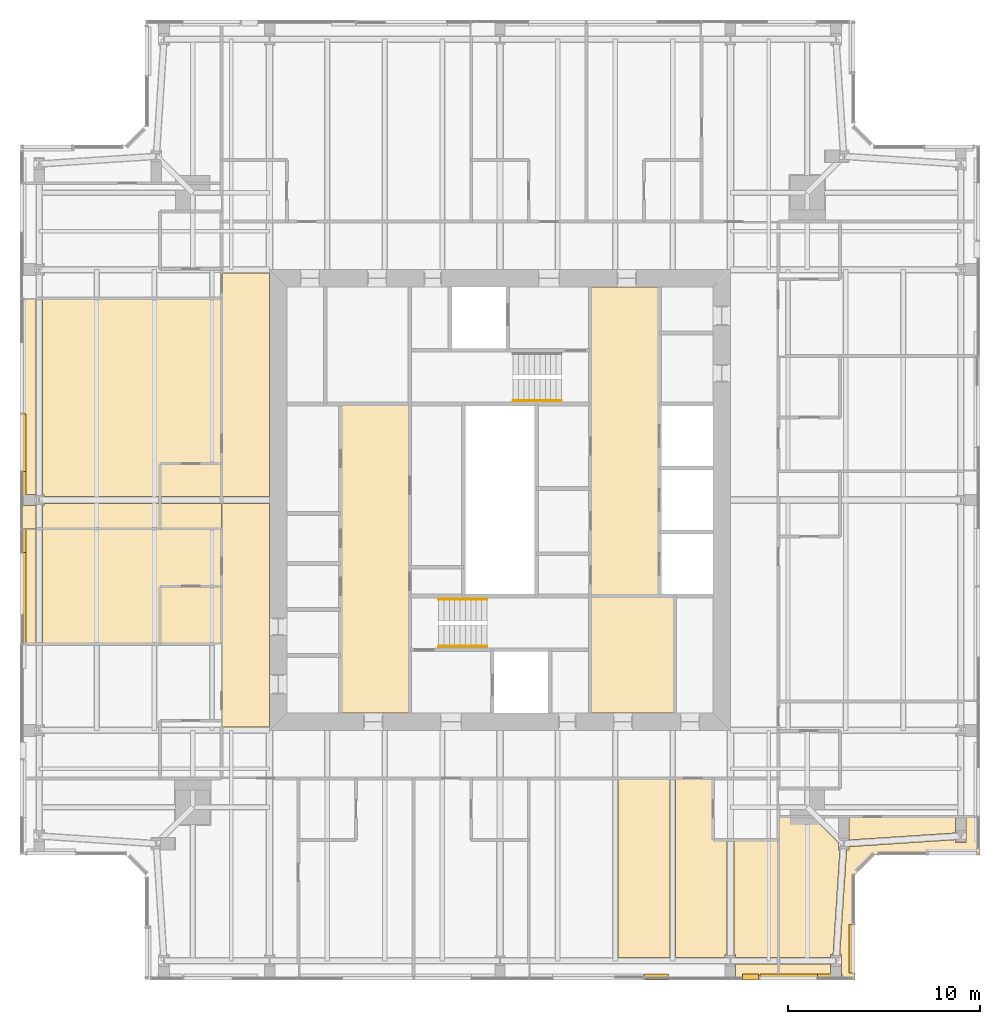
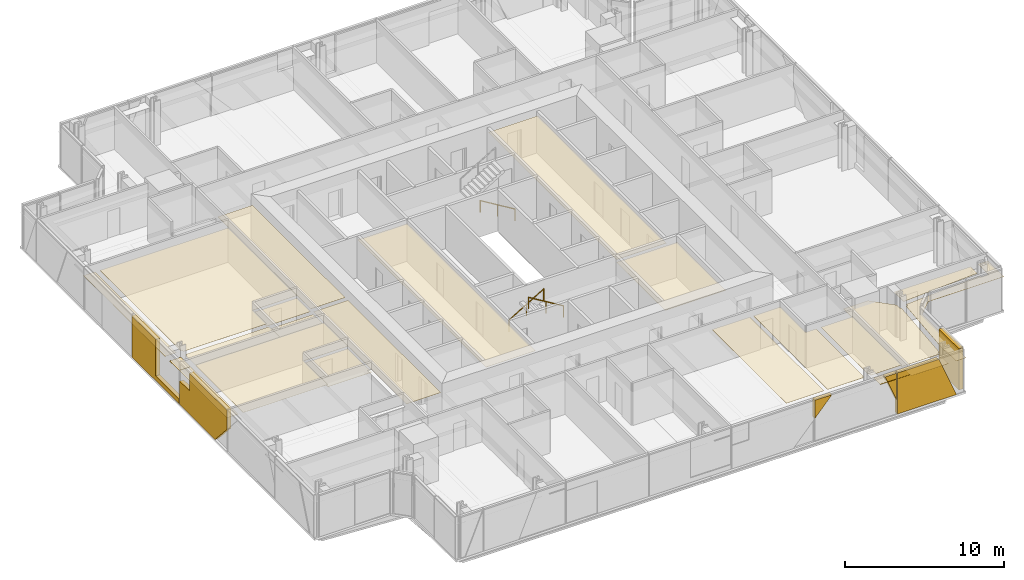
# One storey, part 17 of 20: 28 coverings, 3 railings.
"""IFC4 building model written with IfcOpenShell, lengths in metres."""

from ifc_helpers import new_model, si_unit, direction, frame, origin, origin_2d, place, context, subcontext, project, spatial, polyline, circle, outline, extrude, material, layer, layer_set, type_object, element, save


model = new_model("IFC4")

# Units and contexts
model_context = context("Model", 3, precision=1e-05, world=origin(), true_north=direction((0.0, 1.0)))
body_context = subcontext(model_context, "Body", "Model", "MODEL_VIEW")
ifc_project = project(units=[si_unit("LENGTHUNIT", "METRE"), si_unit("AREAUNIT", "SQUARE_METRE"), si_unit("VOLUMEUNIT", "CUBIC_METRE"), si_unit("PLANEANGLEUNIT", "RADIAN"), si_unit("MASSUNIT", "GRAM", prefix="KILO")], contexts=[model_context])

# Site, building, storey
site_placement = place(None, origin())
site = spatial("IfcSite", under=ifc_project, at=site_placement, CompositionType="ELEMENT")
building_placement = place(site_placement, origin())
building = spatial("IfcBuilding", under=site, at=building_placement, Name="Fenwick Lantern Interchange", CompositionType="ELEMENT")
storey_placement = place(building_placement, frame((0.0, 0.0, 286.60009765625)))
storey = spatial("IfcBuildingStorey", under=building, at=storey_placement, Name="L69", CompositionType="ELEMENT", Elevation=286.60009765625)

# Coverings
ifc_material_1 = material(Name="Granite cladding, warm grey flamed finish, on aluminium carrier frame", Category="masonry")
ifc_layer_1 = layer(ifc_material_1, 0.300048828125)
ifc_layer_set_1 = layer_set([ifc_layer_1], Name="BRACE CASING PANEL 300")
covering_type_1 = type_object("IfcCoveringType", Name="BRACE CASING PANEL 300", PredefinedType="CLADDING", material=ifc_layer_set_1)
covering_1_placement = place(storey_placement, frame((6.60009765625, 0.10009765625, 1.748046875), z_axis=(0.0, 0.0, 1.0), x_axis=(1.0, 0.0, 0.0)))
element("IfcCovering", 1, at=covering_1_placement, inside=storey, type_object=covering_type_1, Name="Brace casing 01 bay 05a", PredefinedType="CLADDING", context=body_context, shape_type="SweptSolid", body=[
    extrude(outline(polyline([(25.929931640625, 0.0), (27.177490234375, 1.40185546875), (25.929931640625, 1.40185546875), (25.929931640625, 0.0)])), frame((0.0, 0.2099609375, 0.0), z_axis=(0.0, -1.0, 0.0), x_axis=(1.0, 0.0, 0.0)), (0.0, 0.0, 1.0), 0.300048828125),
])
covering_2_placement = place(storey_placement, frame((6.60009765625, 0.10009765625, 1.108642578125), z_axis=(0.0, 0.0, 1.0), x_axis=(1.0, 0.0, 0.0)))
element("IfcCovering", 2, at=covering_2_placement, inside=storey, type_object=covering_type_1, Name="Brace casing 01 bay 05b", PredefinedType="CLADDING", context=body_context, shape_type="SweptSolid", body=[
    extrude(outline(polyline([(31.8701171875, 0.0), (31.8701171875, 2.041259765625), (31.037353515625, 2.041259765625), (31.8701171875, 0.0)])), frame((0.0, 0.2099609375, 0.0), z_axis=(0.0, -1.0, 0.0), x_axis=(1.0, 0.0, 0.0)), (0.0, 0.0, 1.0), 0.300048828125),
])
covering_3_placement = place(storey_placement, frame((6.60009765625, 0.10009765625, 0.0), z_axis=(0.0, 0.0, 1.0), x_axis=(1.0, 0.0, 0.0)))
element("IfcCovering", 3, at=covering_3_placement, inside=storey, type_object=covering_type_1, Name="Brace casing 01 bay 06a", PredefinedType="CLADDING", context=body_context, shape_type="SweptSolid", body=[
    extrude(outline(polyline([(31.929931640625, 0.0), (36.2099609375, 0.0), (34.92529296875, 3.14990234375), (31.929931640625, 3.14990234375), (31.929931640625, 0.0)])), frame((0.0, 0.2099609375, 0.0), z_axis=(0.0, -1.0, 0.0), x_axis=(1.0, 0.0, 0.0)), (0.0, 0.0, 1.0), 0.300048828125),
])
covering_4_placement = place(storey_placement, frame((43.39990234375, 0.10009765625, 0.0), z_axis=(0.0, 0.0, 1.0), x_axis=(0.0, 1.0, 0.0)))
element("IfcCovering", 4, at=covering_4_placement, inside=storey, type_object=covering_type_1, Name="Brace casing 02 bay 00a", PredefinedType="CLADDING", context=body_context, shape_type="SweptSolid", body=[
    extrude(outline(polyline([(0.260009765625, 0.0), (2.790771484375, 0.0), (2.790771484375, 3.14990234375), (0.260009765625, 3.14990234375), (0.260009765625, 0.0)])), frame((0.0, 0.2099609375, 0.0), z_axis=(0.0, -1.0, 0.0), x_axis=(1.0, 0.0, 0.0)), (0.0, 0.0, 1.0), 0.300048828125),
])
covering_5_placement = place(storey_placement, frame((0.10009765625, 43.39990234375, 0.0), z_axis=(0.0, 0.0, 1.0), x_axis=(0.0, -1.0, 0.0)))
element("IfcCovering", 5, at=covering_5_placement, inside=storey, type_object=covering_type_1, Name="Brace casing 13 bay 03a", PredefinedType="CLADDING", context=body_context, shape_type="SweptSolid", body=[
    extrude(outline(polyline([(13.929931640625, 0.0), (19.8701171875, 0.0), (19.8701171875, 0.357421875), (16.926513671875, 0.357421875), (16.926513671875, 3.14990234375), (13.929931640625, 3.14990234375), (13.929931640625, 0.0)])), frame((0.0, 0.2099609375, 0.0), z_axis=(0.0, -1.0, 0.0), x_axis=(1.0, 0.0, 0.0)), (0.0, 0.0, 1.0), 0.300048828125),
])
covering_6_placement = place(storey_placement, frame((0.10009765625, 43.39990234375, 0.0), z_axis=(0.0, 0.0, 1.0), x_axis=(0.0, -1.0, 0.0)))
element("IfcCovering", 6, at=covering_6_placement, inside=storey, type_object=covering_type_1, Name="Brace casing 13 bay 04a", PredefinedType="CLADDING", context=body_context, shape_type="SweptSolid", body=[
    extrude(outline(polyline([(19.929931640625, 0.0), (24.374267578125, 0.0), (25.8701171875, 1.6806640625), (25.8701171875, 3.14990234375), (21.14501953125, 3.14990234375), (21.14501953125, 1.786376953125), (19.929931640625, 1.786376953125), (19.929931640625, 0.0)])), frame((0.0, 0.2099609375, 0.0), z_axis=(0.0, -1.0, 0.0), x_axis=(1.0, 0.0, 0.0)), (0.0, 0.0, 1.0), 0.300048828125),
])

# Railings
ifc_material_2 = material(Name="Stainless steel handrail", Category="steel")
railing_type = type_object("IfcRailingType", Name="HANDRAIL 900", PredefinedType="HANDRAIL", material=ifc_material_2)
railing_placement = place(storey_placement, frame((21.800048828125, 19.825927734375, 0.169921875)))
element("IfcRailing", 7, at=railing_placement, inside=storey, type_object=railing_type, Name="L69/STAIR/ST1/HR1", PredefinedType="HANDRAIL", context=body_context, shape_type="SweptSolid", body=[
    extrude(circle(Radius=0.02392578125, at=origin_2d()), frame((0.0, 0.0, 0.8759765625), z_axis=(0.85478489116, 0.0, 0.518982456201), x_axis=(0.0, 1.0, 0.0)), (0.0, 0.0, 1.0), 2.9482421875),
    extrude(circle(Radius=0.02099609375, at=origin_2d()), origin(), (0.0, 0.0, 1.0), 0.851806640625),
    extrude(circle(Radius=0.02099609375, at=origin_2d()), frame((1.260009765625, 0.0, 0.76513671875)), (0.0, 0.0, 1.0), 0.851806640625),
    extrude(circle(Radius=0.02099609375, at=origin_2d()), frame((2.52001953125, 0.0, 1.530029296875)), (0.0, 0.0, 1.0), 0.851806640625),
])
for number, where, name in (
    (8, (24.320068359375, 17.3740234375, 1.869873046875), "L69/STAIR/ST1/HR2"),
    (9, (28.199951171875, 30.174072265625, 0.169921875), "L69/STAIR/ST2/HR1"),
):
    element("IfcRailing", number, at=place(storey_placement, frame(where)), inside=storey, type_object=railing_type, Name=name, PredefinedType="HANDRAIL", context=body_context, shape_type="SweptSolid", body=[
        extrude(circle(Radius=0.02392578125, at=origin_2d()), frame((0.0, 0.0, 0.8759765625), z_axis=(-0.85478489116, 0.0, 0.518982456201), x_axis=(0.0, -1.0, 0.0)), (0.0, 0.0, 1.0), 2.9482421875),
        extrude(circle(Radius=0.02099609375, at=origin_2d()), origin(), (0.0, 0.0, 1.0), 0.851806640625),
        extrude(circle(Radius=0.02099609375, at=origin_2d()), frame((-1.260009765625, 0.0, 0.76513671875)), (0.0, 0.0, 1.0), 0.851806640625),
        extrude(circle(Radius=0.02099609375, at=origin_2d()), frame((-2.52001953125, 0.0, 1.530029296875)), (0.0, 0.0, 1.0), 0.851806640625),
    ])

# Coverings
ifc_material_3 = material(Name="Moisture resistant gypsum board on suspended frame, painted")
ifc_layer_2 = layer(ifc_material_3, 0.014892578125)
ifc_layer_set_2 = layer_set([ifc_layer_2], Name="MOISTURE RESISTANT CEILING 15")
covering_type_2 = type_object("IfcCoveringType", Name="MOISTURE RESISTANT CEILING 15", PredefinedType="CEILING", material=ifc_layer_set_2)
covering_7_placement = place(storey_placement, frame((0.0, 0.0, 2.599853515625)))
element("IfcCovering", 10, at=covering_7_placement, inside=storey, type_object=covering_type_2, Name="Women's WC ceiling", PredefinedType="CEILING", context=body_context, shape_type="SweptSolid", body=[
    extrude(outline(polyline([(29.699951171875, 13.89990234375), (34.10009765625, 13.89990234375), (34.10009765625, 20.0), (29.699951171875, 20.0), (29.699951171875, 13.89990234375)])), origin(), (0.0, 0.0, 1.0), 0.01513671875),
])
covering_8_placement = place(storey_placement, frame((0.0, 0.0, 2.39990234375)))
element("IfcCovering", 11, at=covering_8_placement, inside=storey, type_object=covering_type_2, Name="En-suite 6912 ceiling", PredefinedType="CEILING", context=body_context, shape_type="SweptSolid", body=[
    extrude(outline(polyline([(7.300048828125, 26.89990234375), (7.300048828125, 25.175048828125), (10.5, 25.175048828125), (10.5, 26.89990234375), (7.300048828125, 26.89990234375)])), origin(), (0.0, 0.0, 1.0), 0.014892578125),
])
covering_9_placement = place(storey_placement, frame((0.0, 0.0, 2.39990234375)))
element("IfcCovering", 12, at=covering_9_placement, inside=storey, type_object=covering_type_2, Name="En-suite 6912 ceiling", PredefinedType="CEILING", context=body_context, shape_type="SweptSolid", body=[
    extrude(outline(polyline([(10.5, 23.5), (10.5, 24.824951171875), (7.300048828125, 24.824951171875), (7.300048828125, 23.5), (10.5, 23.5)])), origin(), (0.0, 0.0, 1.0), 0.014892578125),
])
covering_10_placement = place(storey_placement, frame((0.0, 0.0, 2.39990234375)))
element("IfcCovering", 13, at=covering_10_placement, inside=storey, type_object=covering_type_2, Name="En-suite 6913 ceiling", PredefinedType="CEILING", context=body_context, shape_type="SweptSolid", body=[
    extrude(outline(polyline([(7.300048828125, 20.5), (7.300048828125, 17.5), (10.5, 17.5), (10.5, 20.5), (7.300048828125, 20.5)])), origin(), (0.0, 0.0, 1.0), 0.014892578125),
])
ifc_material_4 = material(Name="Gypsum plasterboard on suspended frame, painted")
ifc_layer_3 = layer(ifc_material_4, 0.014892578125)
ifc_layer_set_3 = layer_set([ifc_layer_3], Name="PLASTERBOARD CEILING 15")
covering_type_3 = type_object("IfcCoveringType", Name="PLASTERBOARD CEILING 15", PredefinedType="CEILING", material=ifc_layer_set_3)
covering_11_placement = place(storey_placement, frame((0.0, 0.0, 2.7998046875)))
element("IfcCovering", 14, at=covering_11_placement, inside=storey, type_object=covering_type_3, Name="Lift lobby ceiling", PredefinedType="CEILING", context=body_context, shape_type="SweptSolid", body=[
    extrude(outline(polyline([(16.699951171875, 13.89990234375), (20.300048828125, 13.89990234375), (20.300048828125, 30.0), (16.699951171875, 30.0), (16.699951171875, 13.89990234375)])), origin(), (0.0, 0.0, 1.0), 0.01513671875),
])
covering_12_placement = place(storey_placement, frame((0.0, 0.0, 2.7998046875)))
element("IfcCovering", 15, at=covering_12_placement, inside=storey, type_object=covering_type_3, Name="Lift lobby ceiling", PredefinedType="CEILING", context=body_context, shape_type="SweptSolid", body=[
    extrude(outline(polyline([(33.300048828125, 36.10009765625), (29.699951171875, 36.10009765625), (29.699951171875, 20.0), (33.300048828125, 20.0), (33.300048828125, 36.10009765625)])), origin(), (0.0, 0.0, 1.0), 0.01513671875),
])
covering_13_placement = place(storey_placement, frame((0.0, 0.0, 2.599853515625)))
element("IfcCovering", 16, at=covering_13_placement, inside=storey, type_object=covering_type_3, Name="Corridor ceiling", PredefinedType="CEILING", context=body_context, shape_type="SweptSolid", body=[
    extrude(outline(polyline([(10.5, 36.833984375), (10.5, 25.175048828125), (13.0, 25.175048828125), (13.0, 36.833984375), (10.5, 36.833984375)])), origin(), (0.0, 0.0, 1.0), 0.01513671875),
])
covering_14_placement = place(storey_placement, frame((0.0, 0.0, 2.599853515625)))
element("IfcCovering", 17, at=covering_14_placement, inside=storey, type_object=covering_type_3, Name="Corridor ceiling", PredefinedType="CEILING", context=body_context, shape_type="SweptSolid", body=[
    extrude(outline(polyline([(10.5, 24.824951171875), (10.5, 13.166015625), (13.0, 13.166015625), (13.0, 24.824951171875), (10.5, 24.824951171875)])), origin(), (0.0, 0.0, 1.0), 0.01513671875),
])
covering_15_placement = place(storey_placement, frame((0.0, 0.0, 2.699951171875)))
element("IfcCovering", 18, at=covering_15_placement, inside=storey, type_object=covering_type_3, Name="Guest suite 6903 ceiling", PredefinedType="CEILING", context=body_context, shape_type="SweptSolid", body=[
    extrude(outline(polyline([(33.865478515625, 10.5), (31.134521484375, 10.5), (31.134521484375, 1.17236328125), (33.865478515625, 1.17236328125), (33.865478515625, 10.5)])), origin(), (0.0, 0.0, 1.0), 0.014892578125),
])
covering_16_placement = place(storey_placement, frame((0.0, 0.0, 2.699951171875)))
element("IfcCovering", 19, at=covering_16_placement, inside=storey, type_object=covering_type_3, Name="Guest suite 6903 ceiling", PredefinedType="CEILING", context=body_context, shape_type="SweptSolid", body=[
    extrude(outline(polyline([(36.72900390625, 1.3154296875), (36.816162109375, 1.3154296875), (36.816162109375, 7.300048828125), (36.10009765625, 7.300048828125), (36.10009765625, 10.5), (34.134521484375, 10.5), (34.134521484375, 1.17236328125), (36.72900390625, 1.17236328125), (36.72900390625, 1.3154296875)])), origin(), (0.0, 0.0, 1.0), 0.014892578125),
])
covering_17_placement = place(storey_placement, frame((0.0, 0.0, 2.699951171875)))
element("IfcCovering", 20, at=covering_17_placement, inside=storey, type_object=covering_type_3, Name="Guest suite 6903 ceiling", PredefinedType="CEILING", context=body_context, shape_type="SweptSolid", body=[
    extrude(outline(polyline([(37.27099609375, 1.3154296875), (37.27099609375, 1.17236328125), (39.5, 1.17236328125), (39.5, 7.300048828125), (37.183837890625, 7.300048828125), (37.183837890625, 1.3154296875), (37.27099609375, 1.3154296875)])), origin(), (0.0, 0.0, 1.0), 0.014892578125),
])
covering_18_placement = place(storey_placement, frame((0.0, 0.0, 2.699951171875)))
element("IfcCovering", 21, at=covering_18_placement, inside=storey, type_object=covering_type_3, Name="Guest suite 6903 ceiling", PredefinedType="CEILING", context=body_context, shape_type="SweptSolid", body=[
    extrude(outline(polyline([(37.27099609375, 0.82763671875), (37.27099609375, 0.0), (39.5, 0.0), (39.5, 0.82763671875), (37.27099609375, 0.82763671875)])), origin(), (0.0, 0.0, 1.0), 0.014892578125),
])
covering_19_placement = place(storey_placement, frame((0.0, 0.0, 2.57275390625)))
element("IfcCovering", 22, at=covering_19_placement, inside=storey, type_object=covering_type_3, Name="Guest suite 6904 sitting room ceiling", PredefinedType="CEILING", context=body_context, shape_type="SweptSolid", body=[
    extrude(outline(polyline([(42.22265625, 1.33447265625), (42.34912109375, 1.33447265625), (42.705322265625, 6.765625), (42.62255859375, 6.765625), (42.62255859375, 7.160400390625), (41.283203125, 8.5), (39.5, 8.5), (39.5, 1.17236328125), (42.22265625, 1.17236328125), (42.22265625, 1.33447265625)])), origin(), (0.0, 0.0, 1.0), 0.014892578125),
])
covering_20_placement = place(storey_placement, frame((0.0, 0.0, 2.57275390625)))
element("IfcCovering", 23, at=covering_20_placement, inside=storey, type_object=covering_type_3, Name="Guest suite 6904 sitting room ceiling", PredefinedType="CEILING", context=body_context, shape_type="SweptSolid", body=[
    extrude(outline(polyline([(42.77734375, 1.33447265625), (42.77734375, 0.0), (43.5, 0.0), (43.5, 5.5), (44.5, 6.5), (50.0, 6.5), (50.0, 8.5), (49.27734375, 8.5), (49.27734375, 7.16552734375), (48.72265625, 7.16552734375), (48.72265625, 7.30908203125), (43.17724609375, 6.9453125), (43.17724609375, 6.765625), (43.05078125, 6.765625), (42.69482421875, 1.33447265625), (42.77734375, 1.33447265625)])), origin(), (0.0, 0.0, 1.0), 0.014892578125),
])
covering_21_placement = place(storey_placement, frame((0.0, 0.0, 2.57275390625)))
element("IfcCovering", 24, at=covering_21_placement, inside=storey, type_object=covering_type_3, Name="Guest suite 6904 sitting room ceiling", PredefinedType="CEILING", context=body_context, shape_type="SweptSolid", body=[
    extrude(outline(polyline([(43.17724609375, 8.5), (43.17724609375, 7.291015625), (48.72265625, 7.654541015625), (48.72265625, 8.5), (43.17724609375, 8.5)])), origin(), (0.0, 0.0, 1.0), 0.014892578125),
])
covering_22_placement = place(storey_placement, frame((0.0, 0.0, 2.57275390625)))
element("IfcCovering", 25, at=covering_22_placement, inside=storey, type_object=covering_type_3, Name="Guest suite 6904 sitting room ceiling", PredefinedType="CEILING", context=body_context, shape_type="SweptSolid", body=[
    extrude(outline(polyline([(42.22265625, 0.0), (42.22265625, 0.82763671875), (39.5, 0.82763671875), (39.5, 0.0), (42.22265625, 0.0)])), origin(), (0.0, 0.0, 1.0), 0.014892578125),
])
covering_23_placement = place(storey_placement, frame((0.0, 0.0, 2.57275390625)))
element("IfcCovering", 26, at=covering_23_placement, inside=storey, type_object=covering_type_3, Name="Guest suite 6912 ceiling", PredefinedType="CEILING", context=body_context, shape_type="SweptSolid", body=[
    extrude(outline(polyline([(1.26220703125, 25.28759765625), (1.26220703125, 25.175048828125), (7.300048828125, 25.175048828125), (7.300048828125, 26.89990234375), (10.5, 26.89990234375), (10.5, 35.5), (1.17236328125, 35.5), (1.17236328125, 25.28759765625), (1.26220703125, 25.28759765625)])), origin(), (0.0, 0.0, 1.0), 0.014892578125),
])
covering_24_placement = place(storey_placement, frame((0.0, 0.0, 2.57275390625)))
element("IfcCovering", 27, at=covering_24_placement, inside=storey, type_object=covering_type_3, Name="Guest suite 6912 ceiling", PredefinedType="CEILING", context=body_context, shape_type="SweptSolid", body=[
    extrude(outline(polyline([(0.0, 25.28759765625), (0.82763671875, 25.28759765625), (0.82763671875, 35.5), (0.0, 35.5), (0.0, 25.28759765625)])), origin(), (0.0, 0.0, 1.0), 0.014892578125),
])
covering_25_placement = place(storey_placement, frame((0.0, 0.0, 2.57275390625)))
element("IfcCovering", 28, at=covering_25_placement, inside=storey, type_object=covering_type_3, Name="Guest suite 6912 ceiling", PredefinedType="CEILING", context=body_context, shape_type="SweptSolid", body=[
    extrude(outline(polyline([(1.26220703125, 24.71240234375), (1.17236328125, 24.71240234375), (1.17236328125, 23.5), (7.300048828125, 23.5), (7.300048828125, 24.824951171875), (1.26220703125, 24.824951171875), (1.26220703125, 24.71240234375)])), origin(), (0.0, 0.0, 1.0), 0.014892578125),
])
covering_26_placement = place(storey_placement, frame((0.0, 0.0, 2.57275390625)))
element("IfcCovering", 29, at=covering_26_placement, inside=storey, type_object=covering_type_3, Name="Guest suite 6912 ceiling", PredefinedType="CEILING", context=body_context, shape_type="SweptSolid", body=[
    extrude(outline(polyline([(0.82763671875, 24.71240234375), (0.0, 24.71240234375), (0.0, 23.5), (0.82763671875, 23.5), (0.82763671875, 24.71240234375)])), origin(), (0.0, 0.0, 1.0), 0.014892578125),
])
covering_27_placement = place(storey_placement, frame((0.0, 0.0, 2.57275390625)))
element("IfcCovering", 30, at=covering_27_placement, inside=storey, type_object=covering_type_3, Name="Guest room 6913 ceiling", PredefinedType="CEILING", context=body_context, shape_type="SweptSolid", body=[
    extrude(outline(polyline([(10.5, 23.5), (1.17236328125, 23.5), (1.17236328125, 17.5), (7.300048828125, 17.5), (7.300048828125, 20.5), (10.5, 20.5), (10.5, 23.5)])), origin(), (0.0, 0.0, 1.0), 0.014892578125),
])
covering_28_placement = place(storey_placement, frame((0.0, 0.0, 2.57275390625)))
element("IfcCovering", 31, at=covering_28_placement, inside=storey, type_object=covering_type_3, Name="Guest room 6913 ceiling", PredefinedType="CEILING", context=body_context, shape_type="SweptSolid", body=[
    extrude(outline(polyline([(0.0, 23.5), (0.0, 17.5), (0.82763671875, 17.5), (0.82763671875, 23.5), (0.0, 23.5)])), origin(), (0.0, 0.0, 1.0), 0.014892578125),
])

save(model, "model.ifc")
